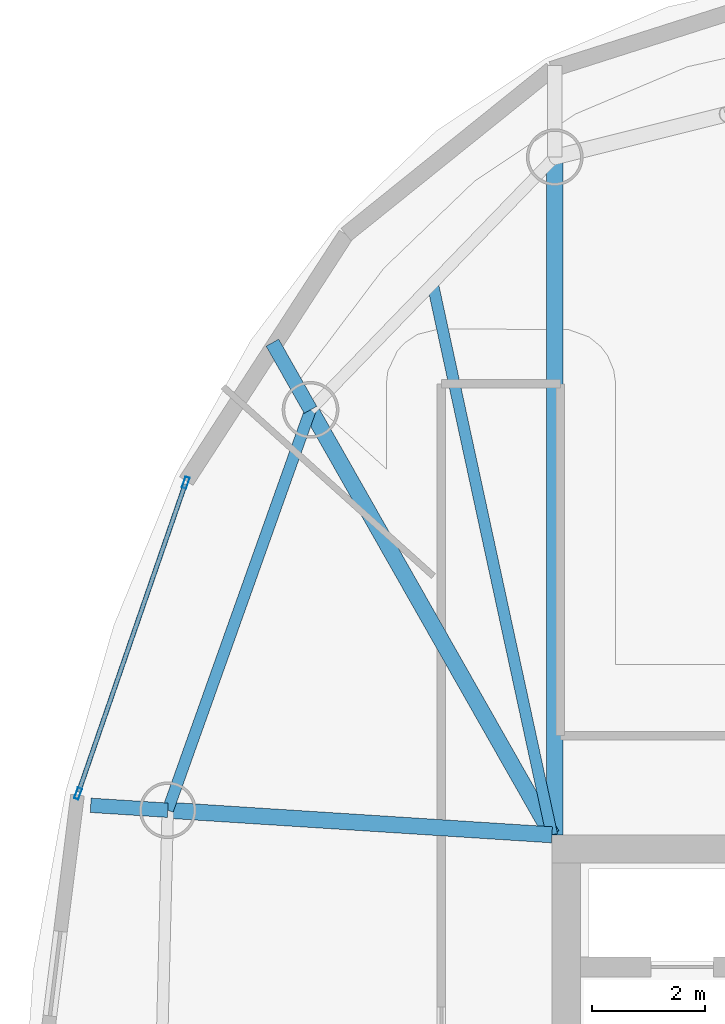
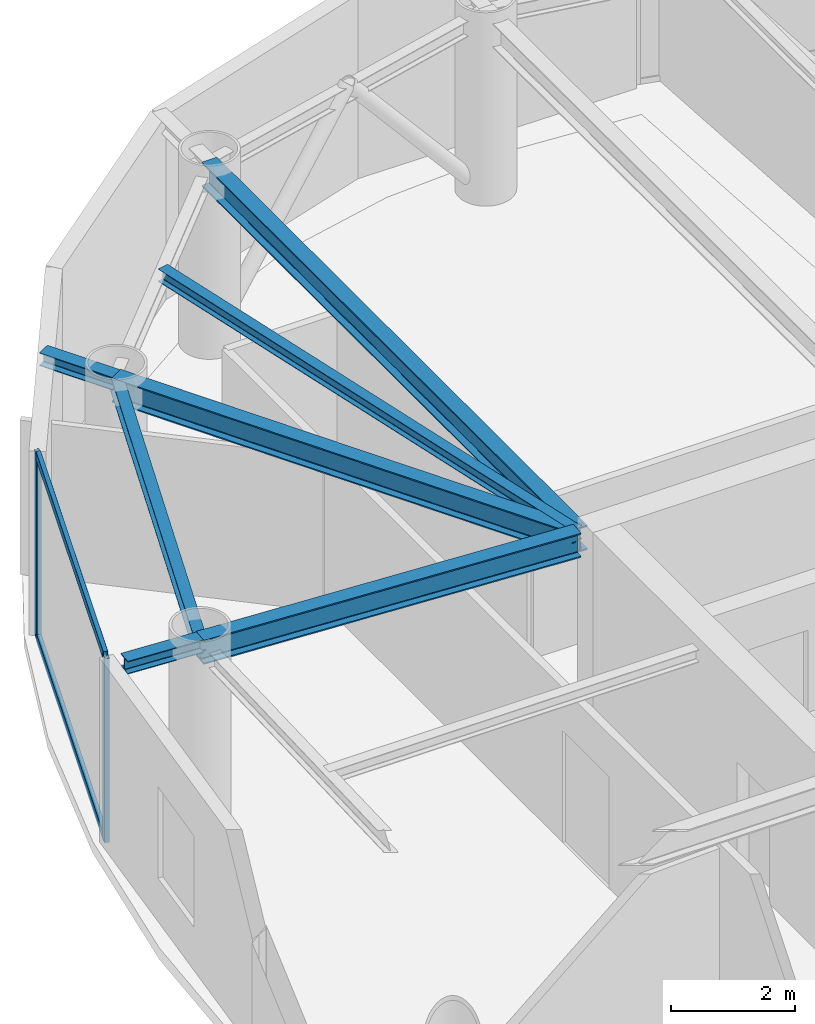
# One storey, part 8 of 17: 7 beams, 4 members, 1 element without a shape of its own.
"""IFC4 building model written with IfcOpenShell, lengths in metres."""

from ifc_helpers import new_model, si_unit, direction, frame, origin, origin_2d, place, context, subcontext, project, spatial, hollow_rectangle, i_section, extrude, material, layer, layer_set, material_profile, profile_set, type_object, element, aggregate, save


model = new_model("IFC4")

# Units and contexts
model_context = context("Model", 3, precision=1e-05, world=origin(), true_north=direction((0.0, 1.0)))
body_context = subcontext(model_context, "Body", "Model", "MODEL_VIEW")
ifc_project = project(units=[si_unit("LENGTHUNIT", "METRE"), si_unit("AREAUNIT", "SQUARE_METRE"), si_unit("VOLUMEUNIT", "CUBIC_METRE"), si_unit("PLANEANGLEUNIT", "RADIAN"), si_unit("MASSUNIT", "GRAM", prefix="KILO")], contexts=[model_context])

# Site, building, storey
site_placement = place(None, origin())
site = spatial("IfcSite", under=ifc_project, at=site_placement, CompositionType="ELEMENT")
building_placement = place(site_placement, origin())
building = spatial("IfcBuilding", under=site, at=building_placement, Name="Bramvorn Convention Spire", CompositionType="ELEMENT")
storey_placement = place(building_placement, frame((0.0, 0.0, 280.550048828125)))
storey = spatial("IfcBuildingStorey", under=building, at=storey_placement, Name="L71", CompositionType="ELEMENT", Elevation=280.550048828125)

# Beams
ifc_material_1 = material(Name="Steel CSA G40.21 Grade 350 (350W)", Category="steel")
ifc_material_profile_1 = material_profile(ifc_material_1, i_section(OverallWidth=0.201904296875, OverallDepth=0.2470703125, WebThickness=0.00732421875, FlangeThickness=0.010986328125, FilletRadius=0.011962890625, at=origin_2d()))
ifc_profile_set_1 = profile_set([ifc_material_profile_1], Name="Steel CSA G40.21 Grade 350 (350W) - W250X49")
beam_type_1 = type_object("IfcBeamType", Name="BM-W250X49", PredefinedType="JOIST", material=ifc_profile_set_1)
beam_1_placement = place(storey_placement, frame((26.75, 33.449951171875, 3.50146484375), z_axis=(-0.211461445939, 0.977386339623, 0.0), x_axis=(-0.977386339623, -0.211461445939, 0.0)))
element("IfcBeam", 1, at=beam_1_placement, inside=storey, type_object=beam_type_1, Name="L71 composite floor joist 09", PredefinedType="JOIST", context=body_context, shape_type="SweptSolid", body=[
    extrude(i_section(OverallWidth=0.201904296875, OverallDepth=0.2470703125, WebThickness=0.00732421875, FlangeThickness=0.010986328125, FilletRadius=0.011962890625, at=origin_2d()), origin(), (0.0, 0.0, 1.0), 9.9462890625),
])
ifc_material_profile_2 = material_profile(ifc_material_1, i_section(OverallWidth=0.25390625, OverallDepth=0.2529296875, WebThickness=0.008544921875, FlangeThickness=0.01416015625, FilletRadius=0.011962890625, at=origin_2d()))
ifc_profile_set_2 = profile_set([ifc_material_profile_2], Name="Steel CSA G40.21 Grade 350 (350W) - W250X73")
beam_type_2 = type_object("IfcBeamType", Name="BM-W250X73", PredefinedType="BEAM", material=ifc_profile_set_2)
beam_2_placement = place(storey_placement, frame((22.49365234375, 40.94384765625, 3.49853515625), z_axis=(-0.493935452004, 0.869498573463, 0.0), x_axis=(-0.869498573463, -0.493935452004, 0.0)))
element("IfcBeam", 2, at=beam_2_placement, inside=storey, type_object=beam_type_2, Name="L71 slab-edge cantilever tip beam MC10", PredefinedType="BEAM", context=body_context, shape_type="SweptSolid", body=[
    extrude(i_section(OverallWidth=0.25390625, OverallDepth=0.2529296875, WebThickness=0.008544921875, FlangeThickness=0.01416015625, FilletRadius=0.011962890625, at=origin_2d()), origin(), (0.0, 0.0, 1.0), 1.361328125),
])
beam_3_placement = place(storey_placement, frame((19.976318359375, 33.883544921875, 3.49853515625), z_axis=(-0.997961559445, 0.063817911831, 0.0), x_axis=(-0.063817911831, -0.997961559445, 0.0)))
element("IfcBeam", 3, at=beam_3_placement, inside=storey, type_object=beam_type_2, Name="L71 slab-edge cantilever tip beam MC11", PredefinedType="BEAM", context=body_context, shape_type="SweptSolid", body=[
    extrude(i_section(OverallWidth=0.25390625, OverallDepth=0.2529296875, WebThickness=0.008544921875, FlangeThickness=0.01416015625, FilletRadius=0.011962890625, at=origin_2d()), origin(), (0.0, 0.0, 1.0), 1.36181640625),
])
ifc_material_profile_3 = material_profile(ifc_material_1, i_section(OverallWidth=0.202880859375, OverallDepth=0.302978515625, WebThickness=0.007568359375, FlangeThickness=0.01318359375, FilletRadius=0.013916015625, at=origin_2d()))
ifc_profile_set_3 = profile_set([ifc_material_profile_3], Name="Steel CSA G40.21 Grade 350 (350W) - W310X60")
beam_type_3 = type_object("IfcBeamType", Name="BM-W310X60", PredefinedType="JOIST", material=ifc_profile_set_3)
beam_4_placement = place(storey_placement, frame((22.49365234375, 40.94384765625, 3.473388671875), z_axis=(-0.335839090413, -0.941919373063, 0.0), x_axis=(0.941919373063, -0.335839090413, 0.0)))
element("IfcBeam", 4, at=beam_4_placement, inside=storey, type_object=beam_type_3, Name="L71 mega-column ring beam 10", PredefinedType="JOIST", context=body_context, shape_type="SweptSolid", body=[
    extrude(i_section(OverallWidth=0.202880859375, OverallDepth=0.302978515625, WebThickness=0.007568359375, FlangeThickness=0.01318359375, FilletRadius=0.013916015625, at=origin_2d()), origin(), (0.0, 0.0, 1.0), 7.49560546875),
])
ifc_material_profile_4 = material_profile(ifc_material_1, i_section(OverallWidth=0.283935546875, OverallDepth=0.47607421875, WebThickness=0.014892578125, FlangeThickness=0.02392578125, FilletRadius=0.01806640625, at=origin_2d()))
ifc_profile_set_4 = profile_set([ifc_material_profile_4], Name="Steel CSA G40.21 Grade 350 (350W) - W460X158")
beam_type_4 = type_object("IfcBeamType", Name="BM-W460X158", PredefinedType="SPANDREL", material=ifc_profile_set_4)
beam_5_placement = place(storey_placement, frame((26.800048828125, 33.449951171875, 3.386962890625), z_axis=(0.0, 1.0, 0.0), x_axis=(-1.0, 0.0, 0.0)))
element("IfcBeam", 5, at=beam_5_placement, inside=storey, type_object=beam_type_4, Name="L71 radial floor girder MC09", PredefinedType="SPANDREL", context=body_context, shape_type="SweptSolid", body=[
    extrude(i_section(OverallWidth=0.283935546875, OverallDepth=0.47607421875, WebThickness=0.014892578125, FlangeThickness=0.02392578125, FilletRadius=0.01806640625, at=origin_2d()), origin(), (0.0, 0.0, 1.0), 11.948974609375),
])
beam_6_placement = place(storey_placement, frame((26.75, 33.449951171875, 3.386962890625), z_axis=(-0.493873612118, 0.869533699895, 0.0), x_axis=(-0.869533699895, -0.493873612118, 0.0)))
element("IfcBeam", 6, at=beam_6_placement, inside=storey, type_object=beam_type_4, Name="L71 radial floor girder MC10", PredefinedType="SPANDREL", context=body_context, shape_type="SweptSolid", body=[
    extrude(i_section(OverallWidth=0.283935546875, OverallDepth=0.47607421875, WebThickness=0.014892578125, FlangeThickness=0.02392578125, FilletRadius=0.01806640625, at=origin_2d()), origin(), (0.0, 0.0, 1.0), 8.618408203125),
])
beam_7_placement = place(storey_placement, frame((26.75, 33.449951171875, 3.386962890625), z_axis=(-0.997957536354, 0.063880792379, 0.0), x_axis=(-0.063880792379, -0.997957536354, 0.0)))
element("IfcBeam", 7, at=beam_7_placement, inside=storey, type_object=beam_type_4, Name="L71 radial floor girder MC11", PredefinedType="SPANDREL", context=body_context, shape_type="SweptSolid", body=[
    extrude(i_section(OverallWidth=0.283935546875, OverallDepth=0.47607421875, WebThickness=0.014892578125, FlangeThickness=0.02392578125, FilletRadius=0.01806640625, at=origin_2d()), origin(), (0.0, 0.0, 1.0), 6.78759765625),
])

# Curtain wall, members
ifc_material_2 = material(Name="Anodised Bronze Unitised Curtain Wall", Category="aluminium")
ifc_layer = layer(ifc_material_2, 0.179931640625)
ifc_layer_set = layer_set([ifc_layer], Name="Anodised Bronze Unitised Curtain Wall - CW-OFF-FRIT")
curtain_wall_type = type_object("IfcCurtainWallType", Name="CW-OFF-FRIT", PredefinedType="USERDEFINED", material=ifc_layer_set)
curtain_wall_placement = place(storey_placement, origin())
curtain_wall = element("IfcCurtainWall", 8, at=curtain_wall_placement, inside=storey, type_object=curtain_wall_type, Name="L71 fritted glass curtain wall 15", ObjectType="UNITISED CURTAIN WALL", PredefinedType="USERDEFINED")
ifc_material_3 = material(Name="Anodised Bronze Aluminium 6063-T6", Category="aluminium")
ifc_material_profile_5 = material_profile(ifc_material_3, hollow_rectangle(XDim=0.080078125, YDim=0.199951171875, WallThickness=0.00390625, InnerFilletRadius=0.0009765625, OuterFilletRadius=0.00390625, at=origin_2d()))
ifc_profile_set_5 = profile_set([ifc_material_profile_5], Name="Anodised Bronze Aluminium 6063-T6 - CWM80X200")
member_type_1 = type_object("IfcMemberType", Name="CW-MUL-180", PredefinedType="MULLION", material=ifc_profile_set_5)
member_1_placement = place(storey_placement, frame((18.39501953125, 34.178466796875, 0.0), z_axis=(0.0, 0.0, 1.0), x_axis=(-0.94491869544, 0.327305146625, 0.0)))
member_1 = element("IfcMember", 9, at=member_1_placement, type_object=member_type_1, Name="CW3 mullion 1", PredefinedType="MULLION", context=body_context, shape_type="SweptSolid", body=[
    extrude(hollow_rectangle(XDim=0.080078125, YDim=0.199951171875, WallThickness=0.00390625, InnerFilletRadius=0.0009765625, OuterFilletRadius=0.00390625, at=origin_2d()), origin(), (0.0, 0.0, 1.0), 3.625),
])
member_2_placement = place(storey_placement, frame((20.29345703125, 39.658935546875, 0.0), z_axis=(0.0, 0.0, 1.0), x_axis=(-0.94491869544, 0.327305146625, 0.0)))
member_2 = element("IfcMember", 10, at=member_2_placement, type_object=member_type_1, Name="CW3 mullion 2", PredefinedType="MULLION", context=body_context, shape_type="SweptSolid", body=[
    extrude(hollow_rectangle(XDim=0.080078125, YDim=0.199951171875, WallThickness=0.00390625, InnerFilletRadius=0.0009765625, OuterFilletRadius=0.00390625, at=origin_2d()), origin(), (0.0, 0.0, 1.0), 3.625),
])
ifc_material_profile_6 = material_profile(ifc_material_3, hollow_rectangle(XDim=0.080078125, YDim=0.159912109375, WallThickness=0.00390625, InnerFilletRadius=0.0009765625, OuterFilletRadius=0.00390625, at=origin_2d()))
ifc_profile_set_6 = profile_set([ifc_material_profile_6], Name="Anodised Bronze Aluminium 6063-T6 - CWT80X160")
member_type_2 = type_object("IfcMemberType", Name="CW-TRN-150", PredefinedType="USERDEFINED", material=ifc_profile_set_6)
member_3_placement = place(storey_placement, frame((18.40478515625, 34.206787109375, 0.030029296875), z_axis=(0.327294625665, 0.944922339672, 0.0), x_axis=(-0.944922339672, 0.327294625665, 0.0)))
member_3 = element("IfcMember", 11, at=member_3_placement, type_object=member_type_2, Name="CW3 transom 1.1", ObjectType="TRANSOM", PredefinedType="USERDEFINED", context=body_context, shape_type="SweptSolid", body=[
    extrude(hollow_rectangle(XDim=0.080078125, YDim=0.159912109375, WallThickness=0.00390625, InnerFilletRadius=0.0009765625, OuterFilletRadius=0.00390625, at=origin_2d()), origin(), (0.0, 0.0, 1.0), 5.739990234375),
])
member_4_placement = place(storey_placement, frame((18.40478515625, 34.206787109375, 3.594970703125), z_axis=(0.327294625665, 0.944922339672, 0.0), x_axis=(-0.944922339672, 0.327294625665, 0.0)))
member_4 = element("IfcMember", 12, at=member_4_placement, type_object=member_type_2, Name="CW3 transom 1.2", ObjectType="TRANSOM", PredefinedType="USERDEFINED", context=body_context, shape_type="SweptSolid", body=[
    extrude(hollow_rectangle(XDim=0.080078125, YDim=0.159912109375, WallThickness=0.00390625, InnerFilletRadius=0.0009765625, OuterFilletRadius=0.00390625, at=origin_2d()), origin(), (0.0, 0.0, 1.0), 5.739990234375),
])
aggregate(curtain_wall, [member_1, member_2, member_3, member_4])

save(model, "model.ifc")
